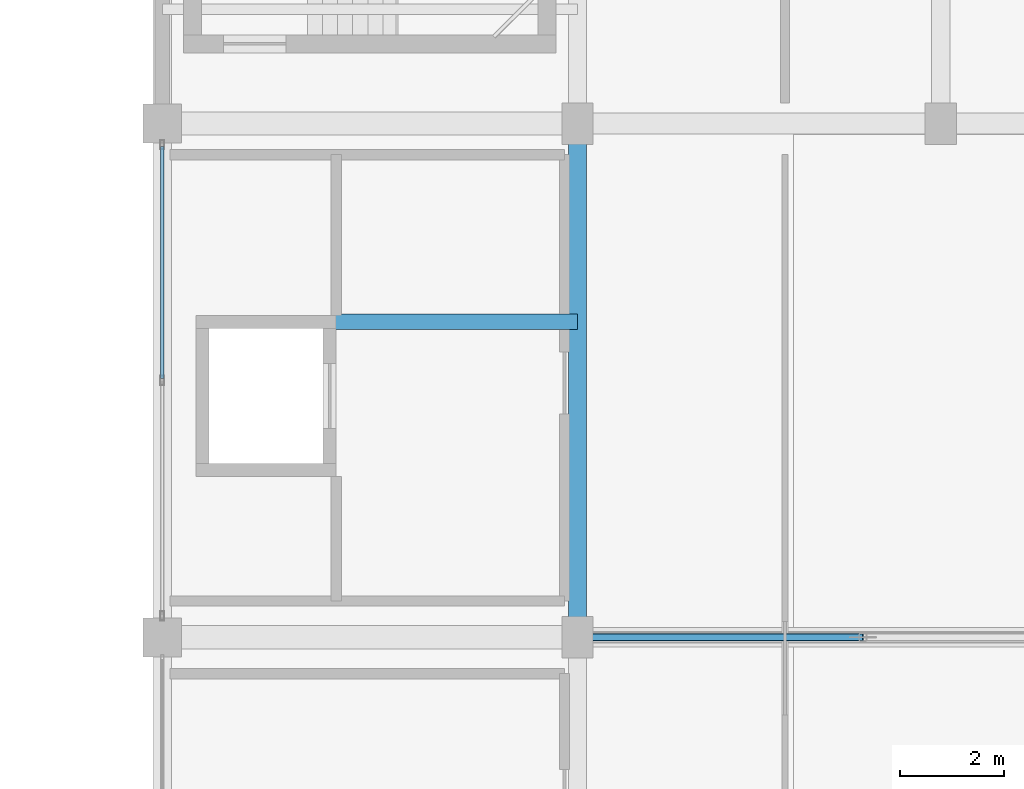
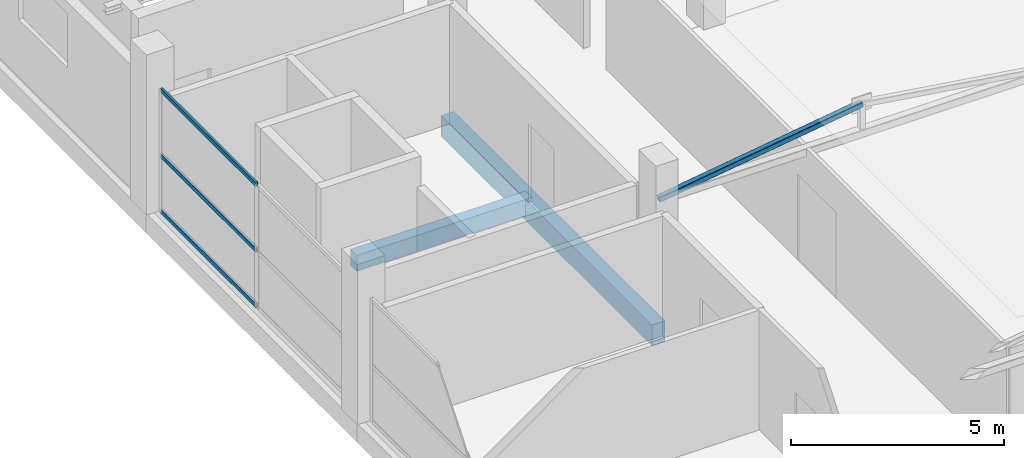
# One storey, part 23 of 55: 4 members, 2 beams, 1 element without a shape of its own.
"""IFC4 building model written with IfcOpenShell, lengths in metres."""

from ifc_helpers import new_model, si_unit, direction, frame, origin, origin_2d, place, context, subcontext, project, spatial, rectangle, hollow_rectangle, extrude, material, layer, layer_set, material_profile, profile_set, type_object, element, aggregate, save


model = new_model("IFC4")

# Units and contexts
model_context = context("Model", 3, precision=1e-05, world=origin(), true_north=direction((0.0, 1.0)))
body_context = subcontext(model_context, "Body", "Model", "MODEL_VIEW")
ifc_project = project(units=[si_unit("LENGTHUNIT", "METRE"), si_unit("AREAUNIT", "SQUARE_METRE"), si_unit("VOLUMEUNIT", "CUBIC_METRE"), si_unit("PLANEANGLEUNIT", "RADIAN"), si_unit("MASSUNIT", "GRAM", prefix="KILO")], contexts=[model_context])

# Site, building, storey
site_placement = place(None, origin())
site = spatial("IfcSite", under=ifc_project, at=site_placement, CompositionType="ELEMENT")
building_placement = place(site_placement, origin())
building = spatial("IfcBuilding", under=site, at=building_placement, Name="Sillaruma Civic Art Gallery", CompositionType="ELEMENT")
storey_placement = place(building_placement, frame((0.0, 0.0, 37.739990234375)))
storey = spatial("IfcBuildingStorey", under=building, at=storey_placement, Name="L07", CompositionType="ELEMENT", Elevation=37.739990234375)

# Beams
ifc_material_1 = material(Name="Concrete H35 (35 MPa)", Category="concrete")
ifc_material_profile_1 = material_profile(ifc_material_1, rectangle(XDim=0.35009765625, YDim=0.60009765625, at=origin_2d()), Name="RCB350x600")
ifc_profile_set_1 = profile_set([ifc_material_profile_1], Name="Concrete H35 (35 MPa)")
beam_type_1 = type_object("IfcBeamType", Name="BM-BEAM-RCB350x600", PredefinedType="BEAM", material=ifc_profile_set_1)
beam_1_placement = place(storey_placement, frame((70.0, 69.300048828125, -0.5400390625), z_axis=(0.0, 1.0, 0.0), x_axis=(-1.0, 0.0, 0.0)))
element("IfcBeam", 1, at=beam_1_placement, inside=storey, type_object=beam_type_1, Name="Beam BM-06 (L06:G:8-9)", PredefinedType="BEAM", context=body_context, shape_type="SweptSolid", body=[
    extrude(rectangle(XDim=0.35009765625, YDim=0.60009765625, at=origin_2d()), origin(), (0.0, 0.0, 1.0), 9.89990234375),
])
ifc_material_profile_2 = material_profile(ifc_material_1, rectangle(XDim=0.300048828125, YDim=0.4599609375, at=origin_2d()), Name="RCB300x460")
ifc_profile_set_2 = profile_set([ifc_material_profile_2], Name="Concrete H35 (35 MPa)")
beam_type_2 = type_object("IfcBeamType", Name="BM-LINTEL-RCB300x460", PredefinedType="LINTEL", material=ifc_profile_set_2)
beam_2_placement = place(storey_placement, frame((65.25, 75.3798828125, -0.469970703125), z_axis=(1.0, 0.0, 0.0), x_axis=(0.0, 1.0, 0.0)))
element("IfcBeam", 2, at=beam_2_placement, inside=storey, type_object=beam_type_2, Name="Core Portal Coupling Lintel BL-01 (L06:FFL)", PredefinedType="LINTEL", context=body_context, shape_type="SweptSolid", body=[
    extrude(rectangle(XDim=0.300048828125, YDim=0.4599609375, at=origin_2d()), origin(), (0.0, 0.0, 1.0), 4.75),
])

# Member
ifc_material_2 = material(Name="Structural Steel ASTM A500 Gr.C", Category="steel")
ifc_material_profile_3 = material_profile(ifc_material_2, hollow_rectangle(XDim=0.14990234375, YDim=0.14990234375, WallThickness=0.010009765625, InnerFilletRadius=0.010009765625, OuterFilletRadius=0.02001953125, at=origin_2d()), Name="HSS150x150x10")
ifc_profile_set_3 = profile_set([ifc_material_profile_3], Name="Structural Steel ASTM A500 Gr.C")
member_type_1 = type_object("IfcMemberType", Name="MEM-BRACE-HSS150x150x10", PredefinedType="BRACE", material=ifc_profile_set_3)
member_1_placement = place(storey_placement, frame((70.0, 69.300048828125, 3.320068359375), z_axis=(0.989384036218, 0.0, 0.145324563914), x_axis=(0.0, 1.0, 0.0)))
element("IfcMember", 3, at=member_1_placement, inside=storey, type_object=member_type_1, Name="Warren Truss Diagonal TR-L07-3-D1", PredefinedType="BRACE", context=body_context, shape_type="SweptSolid", body=[
    extrude(hollow_rectangle(XDim=0.14990234375, YDim=0.14990234375, WallThickness=0.010009765625, InnerFilletRadius=0.010009765625, OuterFilletRadius=0.02001953125, at=origin_2d()), origin(), (0.0, 0.0, 1.0), 5.55908203125),
])

# Curtain wall, members
ifc_material_3 = material(Name="Thermally Broken Extruded Aluminium 6063-T6", Category="aluminium")
ifc_layer = layer(ifc_material_3, 0.179931640625, Name="Thermally Broken Extruded Aluminium 6063-T6")
ifc_layer_set = layer_set([ifc_layer], Name="Thermally Broken Extruded Aluminium 6063-T6")
curtain_wall_type = type_object("IfcCurtainWallType", Name="CW-UNI-45", PredefinedType="NOTDEFINED", material=ifc_layer_set)
curtain_wall_placement = place(storey_placement, origin())
curtain_wall = element("IfcCurtainWall", 4, at=curtain_wall_placement, inside=storey, type_object=curtain_wall_type, Name="Unitised Curtain Wall CW-45 (CW-L07-W-6)", PredefinedType="NOTDEFINED")
ifc_material_profile_4 = material_profile(ifc_material_3, hollow_rectangle(XDim=0.06494140625, YDim=0.1201171875, WallThickness=0.00341796875, at=origin_2d()), Name="CWT65x120")
ifc_profile_set_4 = profile_set([ifc_material_profile_4], Name="Thermally Broken Extruded Aluminium 6063-T6")
member_type_2 = type_object("IfcMemberType", Name="MEM-TRN-CWT65x120", PredefinedType="USERDEFINED", material=ifc_profile_set_4)
member_2_placement = place(storey_placement, frame((62.0, 74.284912109375, 0.032470703125), z_axis=(0.0, 1.0, 0.0), x_axis=(-1.0, 0.0, 0.0)))
member_2 = element("IfcMember", 5, at=member_2_placement, type_object=member_type_2, Name="CW-45 transom 2.1", ObjectType="TRANSOM", PredefinedType="USERDEFINED", context=body_context, shape_type="SweptSolid", body=[
    extrude(hollow_rectangle(XDim=0.06494140625, YDim=0.1201171875, WallThickness=0.00341796875, at=origin_2d()), origin(), (0.0, 0.0, 1.0), 4.469970703125),
])
member_3_placement = place(storey_placement, frame((62.0, 74.284912109375, 1.623779296875), z_axis=(0.0, 1.0, 0.0), x_axis=(-1.0, 0.0, 0.0)))
member_3 = element("IfcMember", 6, at=member_3_placement, type_object=member_type_2, Name="CW-45 transom 2.2", ObjectType="TRANSOM", PredefinedType="USERDEFINED", context=body_context, shape_type="SweptSolid", body=[
    extrude(hollow_rectangle(XDim=0.06494140625, YDim=0.1201171875, WallThickness=0.00341796875, at=origin_2d()), origin(), (0.0, 0.0, 1.0), 4.469970703125),
])
member_4_placement = place(storey_placement, frame((62.0, 74.284912109375, 3.49755859375), z_axis=(0.0, 1.0, 0.0), x_axis=(-1.0, 0.0, 0.0)))
member_4 = element("IfcMember", 7, at=member_4_placement, type_object=member_type_2, Name="CW-45 transom 2.3", ObjectType="TRANSOM", PredefinedType="USERDEFINED", context=body_context, shape_type="SweptSolid", body=[
    extrude(hollow_rectangle(XDim=0.06494140625, YDim=0.1201171875, WallThickness=0.00341796875, at=origin_2d()), origin(), (0.0, 0.0, 1.0), 4.469970703125),
])
aggregate(curtain_wall, [member_2, member_3, member_4])

save(model, "model.ifc")
